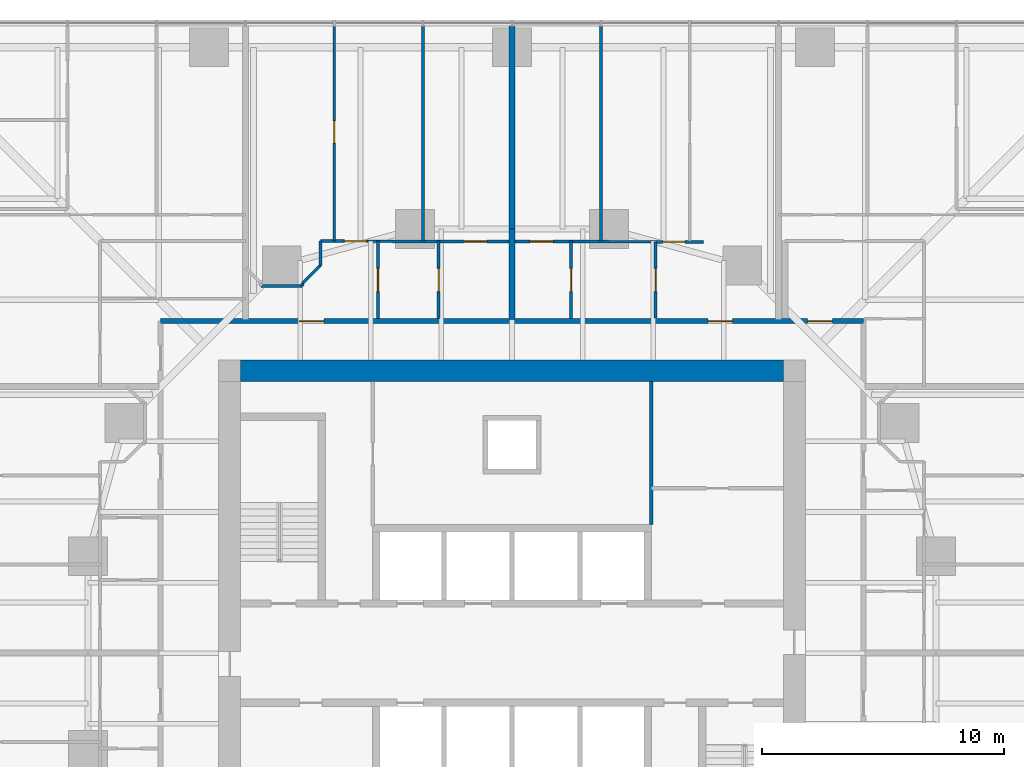
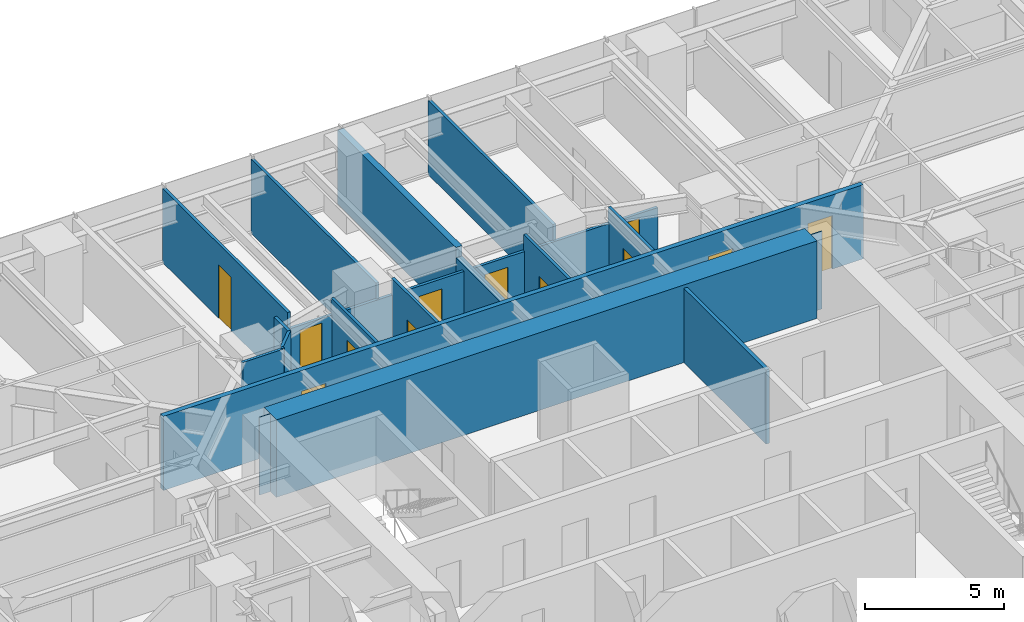
# One storey, part 13 of 17: 17 walls, 12 doors, 12 openings.
"""IFC4 building model written with IfcOpenShell, lengths in metres."""

from ifc_helpers import new_model, si_unit, direction, frame, frame_2d, origin, place, context, subcontext, project, spatial, polyline, rectangle, outline, extrude, material, layer, layer_set, type_object, element, fill, save


model = new_model("IFC4")

# Units and contexts
model_context = context("Model", 3, precision=1e-05, world=origin(), true_north=direction((0.0, 1.0)))
body_context = subcontext(model_context, "Body", "Model", "MODEL_VIEW")
ifc_project = project(units=[si_unit("LENGTHUNIT", "METRE"), si_unit("AREAUNIT", "SQUARE_METRE"), si_unit("VOLUMEUNIT", "CUBIC_METRE"), si_unit("PLANEANGLEUNIT", "RADIAN"), si_unit("MASSUNIT", "GRAM", prefix="KILO")], contexts=[model_context])

# Site, building, storey
site_placement = place(None, origin())
site = spatial("IfcSite", under=ifc_project, at=site_placement, CompositionType="ELEMENT")
building_placement = place(site_placement, origin())
building = spatial("IfcBuilding", under=site, at=building_placement, Name="Torsade Residences", CompositionType="ELEMENT")
storey_placement = place(building_placement, frame((0.0, 0.0, 21.800048828125)))
storey = spatial("IfcBuildingStorey", under=building, at=storey_placement, Name="L05", CompositionType="ELEMENT", Elevation=21.800048828125)

# Wall
ifc_material_1 = material(Name="Concrete 80 MPa", Category="concrete")
ifc_layer_1 = layer(ifc_material_1, 0.89990234375)
ifc_layer_set_1 = layer_set([ifc_layer_1], Name="Concrete 80 MPa")
wall_type_1 = type_object("IfcWallType", Name="CORE WALL 900", PredefinedType="SHEAR", material=ifc_layer_set_1)
wall_1_placement = place(storey_placement, frame((28.800048828125, 41.64990234375, 0.0), z_axis=(0.0, 0.0, 1.0), x_axis=(1.0, 0.0, 0.0)))
element("IfcWall", 1, at=wall_1_placement, inside=storey, type_object=wall_type_1, Name="Core wall N L05", PredefinedType="SHEAR", context=body_context, shape_type="SweptSolid", body=[
    extrude(outline(polyline([(0.0, -0.449951171875), (22.39990234375, -0.449951171875), (22.39990234375, -0.02490234375), (22.849853515625, -0.02490234375), (22.849853515625, 0.02490234375), (22.39990234375, 0.02490234375), (22.39990234375, 0.449951171875), (0.0, 0.449951171875), (0.0, 0.02490234375), (-0.449951171875, 0.02490234375), (-0.449951171875, -0.02490234375), (0.0, -0.02490234375), (0.0, -0.449951171875)])), origin(), (0.0, 0.0, 1.0), 3.39990234375),
])

# Wall, openings, doors
ifc_material_2 = material(Name="Plasterboard on steel stud", Category="steel")
ifc_layer_2 = layer(ifc_material_2, 0.199951171875)
ifc_layer_set_2 = layer_set([ifc_layer_2], Name="Plasterboard on steel stud")
wall_type_2 = type_object("IfcWallType", Name="CORRIDOR WALL 200", PredefinedType="PARTITIONING", material=ifc_layer_set_2)
wall_2_placement = place(storey_placement, frame((54.5, 43.699951171875, 0.0), z_axis=(0.0, 0.0, 1.0), x_axis=(-1.0, 0.0, 0.0)))
wall_2 = element("IfcWall", 2, at=wall_2_placement, inside=storey, type_object=wall_type_2, Name="Corridor wall L05", PredefinedType="PARTITIONING", context=body_context, shape_type="SweptSolid", body=[
    extrude(rectangle(XDim=29.0, YDim=0.199951171875, at=frame_2d((14.5, 0.0))), origin(), (0.0, 0.0, 1.0), 3.25),
])
opening_1_placement = place(wall_2_placement, frame((22.25341796875, 0.0, 0.0)))
opening_1 = element("IfcOpeningElement", 3, at=opening_1_placement, cuts=wall_2, Name="Opening D01", PredefinedType="OPENING", context=body_context, shape_type="SweptSolid", body=[
    extrude(rectangle(XDim=1.02001953125, YDim=2.340087890625, at=frame_2d((0.510009765625, 1.169921875))), frame((0.0, 0.10986328125, 0.0), z_axis=(0.0, -1.0, 0.0), x_axis=(1.0, 0.0, 0.0)), (0.0, 0.0, 1.0), 0.219970703125),
])
opening_2_placement = place(wall_2_placement, frame((5.39306640625, 0.0, 0.0)))
opening_2 = element("IfcOpeningElement", 4, at=opening_2_placement, cuts=wall_2, Name="Opening D01", PredefinedType="OPENING", context=body_context, shape_type="SweptSolid", body=[
    extrude(rectangle(XDim=1.02001953125, YDim=2.340087890625, at=frame_2d((0.510009765625, 1.169921875))), frame((0.0, 0.10986328125, 0.0), z_axis=(0.0, -1.0, 0.0), x_axis=(1.0, 0.0, 0.0)), (0.0, 0.0, 1.0), 0.219970703125),
])
opening_3_placement = place(wall_2_placement, frame((1.28125, 0.0, 0.0)))
opening_3 = element("IfcOpeningElement", 5, at=opening_3_placement, cuts=wall_2, Name="Opening D01", PredefinedType="OPENING", context=body_context, shape_type="SweptSolid", body=[
    extrude(rectangle(XDim=1.02001953125, YDim=2.340087890625, at=frame_2d((0.510009765625, 1.169921875))), frame((0.0, 0.10986328125, 0.0), z_axis=(0.0, -1.0, 0.0), x_axis=(1.0, 0.0, 0.0)), (0.0, 0.0, 1.0), 0.219970703125),
])
ifc_material_3 = material(Name="Solid-core timber fire door", Category="wood")
door_type_1 = type_object("IfcDoorType", Name="APARTMENT ENTRY DOOR 1020x2340", OperationType="NOTDEFINED", PredefinedType="DOOR", material=ifc_material_3)
door_1_placement = place(opening_1_placement, origin())
door_1 = element("IfcDoor", 6, at=door_1_placement, inside=storey, type_object=door_type_1, Name="Door Residential corridor to Kitchen and dining", OperationType="SINGLE_SWING_LEFT", OverallHeight=2.340087890625, OverallWidth=1.02001953125, PredefinedType="DOOR", context=body_context, shape_type="SweptSolid", body=[
    extrude(rectangle(XDim=1.02001953125, YDim=2.340087890625, at=frame_2d((0.510009765625, 1.169921875))), frame((0.0, 0.02490234375, 0.0), z_axis=(0.0, -1.0, 0.0), x_axis=(1.0, 0.0, 0.0)), (0.0, 0.0, 1.0), 0.050048828125),
])
fill(opening_1, door_1)
door_2_placement = place(opening_2_placement, origin())
door_2 = element("IfcDoor", 7, at=door_2_placement, inside=storey, type_object=door_type_1, Name="Door Residential corridor to Kitchen and dining", OperationType="SINGLE_SWING_LEFT", OverallHeight=2.340087890625, OverallWidth=1.02001953125, PredefinedType="DOOR", context=body_context, shape_type="SweptSolid", body=[
    extrude(rectangle(XDim=1.02001953125, YDim=2.340087890625, at=frame_2d((0.510009765625, 1.169921875))), frame((0.0, 0.02490234375, 0.0), z_axis=(0.0, -1.0, 0.0), x_axis=(1.0, 0.0, 0.0)), (0.0, 0.0, 1.0), 0.050048828125),
])
fill(opening_2, door_2)
door_3_placement = place(opening_3_placement, origin())
door_3 = element("IfcDoor", 8, at=door_3_placement, inside=storey, type_object=door_type_1, Name="Door Residential corridor to Kitchen and dining", OperationType="SINGLE_SWING_LEFT", OverallHeight=2.340087890625, OverallWidth=1.02001953125, PredefinedType="DOOR", context=body_context, shape_type="SweptSolid", body=[
    extrude(rectangle(XDim=1.02001953125, YDim=2.340087890625, at=frame_2d((0.510009765625, 1.169921875))), frame((0.0, 0.02490234375, 0.0), z_axis=(0.0, -1.0, 0.0), x_axis=(1.0, 0.0, 0.0)), (0.0, 0.0, 1.0), 0.050048828125),
])
fill(opening_3, door_3)

# Wall, opening, door
ifc_material_4 = material(Name="Plasterboard on steel stud", Category="steel")
ifc_layer_3 = layer(ifc_material_4, 0.1201171875)
ifc_layer_set_3 = layer_set([ifc_layer_3], Name="Plasterboard on steel stud")
wall_type_3 = type_object("IfcWallType", Name="PARTITION 120", PredefinedType="PARTITIONING", material=ifc_layer_set_3)
wall_3_placement = place(storey_placement, frame((45.92626953125, 43.830078125, 0.0), z_axis=(0.0, 0.0, 1.0), x_axis=(0.0, 1.0, 0.0)))
wall_3 = element("IfcWall", 9, at=wall_3_placement, inside=storey, type_object=wall_type_3, Name="Partition L05", PredefinedType="PARTITIONING", context=body_context, shape_type="SweptSolid", body=[
    extrude(rectangle(XDim=3.139892578125, YDim=0.1201171875, at=frame_2d((1.56982421875, 0.0))), origin(), (0.0, 0.0, 1.0), 3.25),
])
opening_4_placement = place(wall_3_placement, frame((1.090087890625, 0.0, 0.0)))
opening_4 = element("IfcOpeningElement", 10, at=opening_4_placement, cuts=wall_3, Name="Opening D05", PredefinedType="OPENING", context=body_context, shape_type="SweptSolid", body=[
    extrude(rectangle(XDim=0.9599609375, YDim=2.10009765625, at=frame_2d((0.47998046875, 1.050048828125))), frame((0.0, 0.070068359375, 0.0), z_axis=(0.0, -1.0, 0.0), x_axis=(1.0, 0.0, 0.0)), (0.0, 0.0, 1.0), 0.14013671875),
])
ifc_material_5 = material(Name="Hollow-core timber door in a steel cavity frame", Category="steel")
door_type_2 = type_object("IfcDoorType", Name="BATHROOM CAVITY SLIDING DOOR 960", OperationType="SLIDING_TO_LEFT", PredefinedType="DOOR", material=ifc_material_5)
door_4_placement = place(opening_4_placement, origin())
door_4 = element("IfcDoor", 11, at=door_4_placement, inside=storey, type_object=door_type_2, Name="Door Kitchen and dining to Bathroom", OperationType="SLIDING_TO_LEFT", OverallHeight=2.10009765625, OverallWidth=0.9599609375, PredefinedType="DOOR", context=body_context, shape_type="SweptSolid", body=[
    extrude(rectangle(XDim=0.9599609375, YDim=2.10009765625, at=frame_2d((0.47998046875, 1.050048828125))), frame((0.0, 0.02490234375, 0.0), z_axis=(0.0, -1.0, 0.0), x_axis=(1.0, 0.0, 0.0)), (0.0, 0.0, 1.0), 0.050048828125),
])
fill(opening_4, door_4)

# Wall, openings, doors
wall_4_placement = place(storey_placement, frame((32.10009765625, 47.0, 0.0), z_axis=(0.0, 0.0, 1.0), x_axis=(0.999998193842, -0.001900608472, 0.0)))
wall_4 = element("IfcWall", 12, at=wall_4_placement, inside=storey, type_object=wall_type_3, Name="Partition L05", PredefinedType="PARTITIONING", context=body_context, shape_type="SweptSolid", body=[
    extrude(rectangle(XDim=15.7998046875, YDim=0.1201171875, at=frame_2d((7.89990234375, 0.0))), origin(), (0.0, 0.0, 1.0), 2.549072265625),
])
opening_5_placement = place(wall_4_placement, frame((0.985107421875, 0.0, 0.0)))
opening_5 = element("IfcOpeningElement", 13, at=opening_5_placement, cuts=wall_4, Name="Opening D02", PredefinedType="OPENING", context=body_context, shape_type="SweptSolid", body=[
    extrude(rectangle(XDim=0.919921875, YDim=2.340087890625, at=frame_2d((0.4599609375, 1.169921875))), frame((0.0, 0.070068359375, 0.0), z_axis=(0.0, -1.0, 0.0), x_axis=(1.0, 0.0, 0.0)), (0.0, 0.0, 1.0), 0.14013671875),
])
opening_6_placement = place(wall_4_placement, frame((14.10986328125, 0.0, 0.0)))
opening_6 = element("IfcOpeningElement", 14, at=opening_6_placement, cuts=wall_4, Name="Opening D02", PredefinedType="OPENING", context=body_context, shape_type="SweptSolid", body=[
    extrude(rectangle(XDim=0.919921875, YDim=2.340087890625, at=frame_2d((0.4599609375, 1.169921875))), frame((0.0, 0.070068359375, 0.0), z_axis=(0.0, -1.0, 0.0), x_axis=(1.0, 0.0, 0.0)), (0.0, 0.0, 1.0), 0.14013671875),
])
opening_7_placement = place(wall_4_placement, frame((5.906982421875, 0.0, 0.0)))
opening_7 = element("IfcOpeningElement", 15, at=opening_7_placement, cuts=wall_4, Name="Opening D05", PredefinedType="OPENING", context=body_context, shape_type="SweptSolid", body=[
    extrude(rectangle(XDim=0.9599609375, YDim=2.10009765625, at=frame_2d((0.47998046875, 1.050048828125))), frame((0.0, 0.070068359375, 0.0), z_axis=(0.0, -1.0, 0.0), x_axis=(1.0, 0.0, 0.0)), (0.0, 0.0, 1.0), 0.14013671875),
])
opening_8_placement = place(wall_4_placement, frame((8.639892578125, 0.0, 0.0)))
opening_8 = element("IfcOpeningElement", 16, at=opening_8_placement, cuts=wall_4, Name="Opening D05", PredefinedType="OPENING", context=body_context, shape_type="SweptSolid", body=[
    extrude(rectangle(XDim=0.9599609375, YDim=2.10009765625, at=frame_2d((0.47998046875, 1.050048828125))), frame((0.0, 0.070068359375, 0.0), z_axis=(0.0, -1.0, 0.0), x_axis=(1.0, 0.0, 0.0)), (0.0, 0.0, 1.0), 0.14013671875),
])
door_5_placement = place(opening_7_placement, origin())
door_5 = element("IfcDoor", 17, at=door_5_placement, inside=storey, type_object=door_type_2, Name="Door Bathroom to Living room", OperationType="SLIDING_TO_LEFT", OverallHeight=2.10009765625, OverallWidth=0.9599609375, PredefinedType="DOOR", context=body_context, shape_type="SweptSolid", body=[
    extrude(rectangle(XDim=0.9599609375, YDim=2.10009765625, at=frame_2d((0.47998046875, 1.050048828125))), frame((0.0, 0.02490234375, 0.0), z_axis=(0.0, -1.0, 0.0), x_axis=(1.0, 0.0, 0.0)), (0.0, 0.0, 1.0), 0.050048828125),
])
fill(opening_7, door_5)
door_6_placement = place(opening_8_placement, origin())
door_6 = element("IfcDoor", 18, at=door_6_placement, inside=storey, type_object=door_type_2, Name="Door Ensuite to Bedroom 1", OperationType="SLIDING_TO_LEFT", OverallHeight=2.10009765625, OverallWidth=0.9599609375, PredefinedType="DOOR", context=body_context, shape_type="SweptSolid", body=[
    extrude(rectangle(XDim=0.9599609375, YDim=2.10009765625, at=frame_2d((0.47998046875, 1.050048828125))), frame((0.0, 0.02490234375, 0.0), z_axis=(0.0, -1.0, 0.0), x_axis=(1.0, 0.0, 0.0)), (0.0, 0.0, 1.0), 0.050048828125),
])
fill(opening_8, door_6)
ifc_material_6 = material(Name="Hollow-core timber door", Category="wood")
door_type_3 = type_object("IfcDoorType", Name="INTERNAL DOOR 920x2340", OperationType="NOTDEFINED", PredefinedType="DOOR", material=ifc_material_6)
door_7_placement = place(opening_5_placement, origin())
door_7 = element("IfcDoor", 19, at=door_7_placement, inside=storey, type_object=door_type_3, Name="Door Kitchen and dining to Bedroom 2", OperationType="SINGLE_SWING_LEFT", OverallHeight=2.340087890625, OverallWidth=0.919921875, PredefinedType="DOOR", context=body_context, shape_type="SweptSolid", body=[
    extrude(rectangle(XDim=0.919921875, YDim=2.340087890625, at=frame_2d((0.4599609375, 1.169921875))), frame((0.0, 0.02490234375, 0.0), z_axis=(0.0, -1.0, 0.0), x_axis=(1.0, 0.0, 0.0)), (0.0, 0.0, 1.0), 0.050048828125),
])
fill(opening_5, door_7)
door_8_placement = place(opening_6_placement, origin())
door_8 = element("IfcDoor", 20, at=door_8_placement, inside=storey, type_object=door_type_3, Name="Door Kitchen and dining to Bedroom 2", OperationType="SINGLE_SWING_RIGHT", OverallHeight=2.340087890625, OverallWidth=0.919921875, PredefinedType="DOOR", context=body_context, shape_type="SweptSolid", body=[
    extrude(rectangle(XDim=0.919921875, YDim=2.340087890625, at=frame_2d((0.4599609375, 1.169921875))), frame((0.0, 0.02490234375, 0.0), z_axis=(0.0, -1.0, 0.0), x_axis=(1.0, 0.0, 0.0)), (0.0, 0.0, 1.0), 0.050048828125),
])
fill(opening_6, door_8)

# Wall, opening, door
wall_5_placement = place(storey_placement, frame((42.439697265625, 43.800048828125, 0.0), z_axis=(0.0, 0.0, 1.0), x_axis=(0.0, 1.0, 0.0)))
wall_5 = element("IfcWall", 21, at=wall_5_placement, inside=storey, type_object=wall_type_3, Name="Partition L05", PredefinedType="PARTITIONING", context=body_context, shape_type="SweptSolid", body=[
    extrude(rectangle(XDim=3.199951171875, YDim=0.1201171875, at=frame_2d((1.60009765625, 0.0))), origin(), (0.0, 0.0, 1.0), 3.25),
])
opening_9_placement = place(wall_5_placement, frame((1.1201171875, 0.0, 0.0)))
opening_9 = element("IfcOpeningElement", 22, at=opening_9_placement, cuts=wall_5, Name="Opening D05", PredefinedType="OPENING", context=body_context, shape_type="SweptSolid", body=[
    extrude(rectangle(XDim=0.9599609375, YDim=2.10009765625, at=frame_2d((0.47998046875, 1.050048828125))), frame((0.0, 0.070068359375, 0.0), z_axis=(0.0, -1.0, 0.0), x_axis=(1.0, 0.0, 0.0)), (0.0, 0.0, 1.0), 0.14013671875),
])
door_9_placement = place(opening_9_placement, origin())
door_9 = element("IfcDoor", 23, at=door_9_placement, inside=storey, type_object=door_type_2, Name="Door Bathroom to Ensuite", OperationType="SLIDING_TO_LEFT", OverallHeight=2.10009765625, OverallWidth=0.9599609375, PredefinedType="DOOR", context=body_context, shape_type="SweptSolid", body=[
    extrude(rectangle(XDim=0.9599609375, YDim=2.10009765625, at=frame_2d((0.47998046875, 1.050048828125))), frame((0.0, 0.02490234375, 0.0), z_axis=(0.0, -1.0, 0.0), x_axis=(1.0, 0.0, 0.0)), (0.0, 0.0, 1.0), 0.050048828125),
])
fill(opening_9, door_9)

# Wall
wall_6_placement = place(storey_placement, frame((43.666748046875, 55.9599609375, 0.0), z_axis=(0.0, 0.0, 1.0), x_axis=(0.0, -1.0, 0.0)))
element("IfcWall", 24, at=wall_6_placement, inside=storey, type_object=wall_type_3, Name="Partition L05", PredefinedType="PARTITIONING", context=body_context, shape_type="SweptSolid", body=[
    extrude(rectangle(XDim=8.9599609375, YDim=0.1201171875, at=frame_2d((4.47998046875, 0.0))), origin(), (0.0, 0.0, 1.0), 3.25),
])

# Wall, opening, door
wall_7_placement = place(storey_placement, frame((34.473388671875, 47.0, 0.0), z_axis=(0.0, 0.0, 1.0), x_axis=(0.0, -1.0, 0.0)))
wall_7 = element("IfcWall", 25, at=wall_7_placement, inside=storey, type_object=wall_type_3, Name="Partition L05", PredefinedType="PARTITIONING", context=body_context, shape_type="SweptSolid", body=[
    extrude(rectangle(XDim=3.199951171875, YDim=0.1201171875, at=frame_2d((1.60009765625, 0.0))), origin(), (0.0, 0.0, 1.0), 3.25),
])
opening_10_placement = place(wall_7_placement, frame((1.1201171875, 0.0, 0.0)))
opening_10 = element("IfcOpeningElement", 26, at=opening_10_placement, cuts=wall_7, Name="Opening D05", PredefinedType="OPENING", context=body_context, shape_type="SweptSolid", body=[
    extrude(rectangle(XDim=0.9599609375, YDim=2.10009765625, at=frame_2d((0.47998046875, 1.050048828125))), frame((0.0, 0.070068359375, 0.0), z_axis=(0.0, -1.0, 0.0), x_axis=(1.0, 0.0, 0.0)), (0.0, 0.0, 1.0), 0.14013671875),
])
door_10_placement = place(opening_10_placement, origin())
door_10 = element("IfcDoor", 27, at=door_10_placement, inside=storey, type_object=door_type_2, Name="Door Kitchen and dining to Ensuite", OperationType="SLIDING_TO_LEFT", OverallHeight=2.10009765625, OverallWidth=0.9599609375, PredefinedType="DOOR", context=body_context, shape_type="SweptSolid", body=[
    extrude(rectangle(XDim=0.9599609375, YDim=2.10009765625, at=frame_2d((0.47998046875, 1.050048828125))), frame((0.0, 0.02490234375, 0.0), z_axis=(0.0, -1.0, 0.0), x_axis=(1.0, 0.0, 0.0)), (0.0, 0.0, 1.0), 0.050048828125),
])
fill(opening_10, door_10)

# Walls
wall_8_placement = place(storey_placement, frame((29.64990234375, 45.14990234375, 0.0), z_axis=(0.0, 0.0, 1.0), x_axis=(1.0, 0.0, 0.0)))
element("IfcWall", 28, at=wall_8_placement, inside=storey, type_object=wall_type_3, Name="Partition L05", PredefinedType="PARTITIONING", context=body_context, shape_type="SweptSolid", body=[
    extrude(rectangle(XDim=1.7001953125, YDim=0.1201171875, at=frame_2d((0.85009765625, 0.0))), origin(), (0.0, 0.0, 1.0), 3.25),
])
wall_9_placement = place(storey_placement, frame((31.35009765625, 45.25, 0.0), z_axis=(0.0, 0.0, 1.0), x_axis=(0.707106781187, 0.707106781187, 0.0)))
element("IfcWall", 29, at=wall_9_placement, inside=storey, type_object=wall_type_3, Name="Partition L05", PredefinedType="PARTITIONING", context=body_context, shape_type="SweptSolid", body=[
    extrude(rectangle(XDim=1.060546875, YDim=0.1201171875, at=frame_2d((0.5302734375, 0.0))), origin(), (0.0, 0.0, 1.0), 3.25),
])
wall_10_placement = place(storey_placement, frame((32.10009765625, 46.0, 0.0), z_axis=(0.0, 0.0, 1.0), x_axis=(0.0, 1.0, 0.0)))
element("IfcWall", 30, at=wall_10_placement, inside=storey, type_object=wall_type_3, Name="Partition L05", PredefinedType="PARTITIONING", context=body_context, shape_type="SweptSolid", body=[
    extrude(rectangle(XDim=1.0, YDim=0.1201171875, at=frame_2d((0.5, 0.0))), origin(), (0.0, 0.0, 1.0), 3.25),
])

# Wall, opening, door
wall_11_placement = place(storey_placement, frame((36.97412109375, 43.800048828125, 0.0), z_axis=(0.0, 0.0, 1.0), x_axis=(0.0, 1.0, 0.0)))
wall_11 = element("IfcWall", 31, at=wall_11_placement, inside=storey, type_object=wall_type_3, Name="Partition L05", PredefinedType="PARTITIONING", context=body_context, shape_type="SweptSolid", body=[
    extrude(rectangle(XDim=3.199951171875, YDim=0.1201171875, at=frame_2d((1.60009765625, 0.0))), origin(), (0.0, 0.0, 1.0), 3.25),
])
opening_11_placement = place(wall_11_placement, frame((1.1201171875, 0.0, 0.0)))
opening_11 = element("IfcOpeningElement", 32, at=opening_11_placement, cuts=wall_11, Name="Opening D05", PredefinedType="OPENING", context=body_context, shape_type="SweptSolid", body=[
    extrude(rectangle(XDim=0.9599609375, YDim=2.10009765625, at=frame_2d((0.47998046875, 1.050048828125))), frame((0.0, 0.070068359375, 0.0), z_axis=(0.0, -1.0, 0.0), x_axis=(1.0, 0.0, 0.0)), (0.0, 0.0, 1.0), 0.14013671875),
])
door_11_placement = place(opening_11_placement, origin())
door_11 = element("IfcDoor", 33, at=door_11_placement, inside=storey, type_object=door_type_2, Name="Door Ensuite to Bathroom", OperationType="SLIDING_TO_LEFT", OverallHeight=2.10009765625, OverallWidth=0.9599609375, PredefinedType="DOOR", context=body_context, shape_type="SweptSolid", body=[
    extrude(rectangle(XDim=0.9599609375, YDim=2.10009765625, at=frame_2d((0.47998046875, 1.050048828125))), frame((0.0, 0.02490234375, 0.0), z_axis=(0.0, -1.0, 0.0), x_axis=(1.0, 0.0, 0.0)), (0.0, 0.0, 1.0), 0.050048828125),
])
fill(opening_11, door_11)

# Wall
wall_12_placement = place(storey_placement, frame((36.333251953125, 47.0, 0.0), z_axis=(0.0, 0.0, 1.0), x_axis=(0.0, 1.0, 0.0)))
element("IfcWall", 34, at=wall_12_placement, inside=storey, type_object=wall_type_3, Name="Partition L05", PredefinedType="PARTITIONING", context=body_context, shape_type="SweptSolid", body=[
    extrude(rectangle(XDim=8.9599609375, YDim=0.1201171875, at=frame_2d((4.47998046875, 0.0))), origin(), (0.0, 0.0, 1.0), 3.25),
])

# Wall, opening, door
wall_13_placement = place(storey_placement, frame((32.666748046875, 55.9599609375, 0.0), z_axis=(0.0, 0.0, 1.0), x_axis=(0.0, -1.0, 0.0)))
wall_13 = element("IfcWall", 35, at=wall_13_placement, inside=storey, type_object=wall_type_3, Name="Partition L05", PredefinedType="PARTITIONING", context=body_context, shape_type="SweptSolid", body=[
    extrude(rectangle(XDim=8.9599609375, YDim=0.1201171875, at=frame_2d((4.47998046875, 0.0))), origin(), (0.0, 0.0, 1.0), 3.25),
])
opening_12_placement = place(wall_13_placement, frame((4.0, 0.0, 0.0)))
opening_12 = element("IfcOpeningElement", 36, at=opening_12_placement, cuts=wall_13, Name="Opening D02", PredefinedType="OPENING", context=body_context, shape_type="SweptSolid", body=[
    extrude(rectangle(XDim=0.919921875, YDim=2.340087890625, at=frame_2d((0.4599609375, 1.169921875))), frame((0.0, 0.070068359375, 0.0), z_axis=(0.0, -1.0, 0.0), x_axis=(1.0, 0.0, 0.0)), (0.0, 0.0, 1.0), 0.14013671875),
])
door_12_placement = place(opening_12_placement, origin())
door_12 = element("IfcDoor", 37, at=door_12_placement, inside=storey, type_object=door_type_3, Name="Door Bedroom 2 to Bedroom 1", OperationType="SINGLE_SWING_RIGHT", OverallHeight=2.340087890625, OverallWidth=0.919921875, PredefinedType="DOOR", context=body_context, shape_type="SweptSolid", body=[
    extrude(rectangle(XDim=0.919921875, YDim=2.340087890625, at=frame_2d((0.4599609375, 1.169921875))), frame((0.0, 0.02490234375, 0.0), z_axis=(0.0, -1.0, 0.0), x_axis=(1.0, 0.0, 0.0)), (0.0, 0.0, 1.0), 0.050048828125),
])
fill(opening_12, door_12)

# Walls
wall_14_placement = place(storey_placement, frame((31.35009765625, 45.14990234375, 0.0), z_axis=(0.0, 0.0, 1.0), x_axis=(0.0, 1.0, 0.0)))
element("IfcWall", 38, at=wall_14_placement, inside=storey, type_object=wall_type_3, Name="Partition L05", PredefinedType="PARTITIONING", context=body_context, shape_type="SweptSolid", body=[
    extrude(rectangle(XDim=0.10009765625, YDim=0.1201171875, at=frame_2d((0.050048828125, 0.0))), origin(), (0.0, 0.0, 1.0), 3.25),
])
ifc_material_7 = material(Name="Masonry-lined stud party wall", Category="masonry")
ifc_layer_4 = layer(ifc_material_7, 0.25)
ifc_layer_set_4 = layer_set([ifc_layer_4], Name="Masonry-lined stud party wall")
wall_type_4 = type_object("IfcWallType", Name="PARTY WALL 250", PredefinedType="PARTITIONING", material=ifc_layer_set_4)
wall_15_placement = place(storey_placement, frame((40.0, 56.0, 0.0), z_axis=(0.0, 0.0, 1.0), x_axis=(0.0, -1.0, 0.0)))
element("IfcWall", 39, at=wall_15_placement, inside=storey, type_object=wall_type_4, Name="Party wall L05", PredefinedType="PARTITIONING", context=body_context, shape_type="SweptSolid", body=[
    extrude(rectangle(XDim=8.5, YDim=0.25, at=frame_2d((4.25, 0.0))), origin(), (0.0, 0.0, 1.0), 3.25),
])
wall_16_placement = place(storey_placement, frame((40.0, 47.5, 0.0), z_axis=(0.0, 0.0, 1.0), x_axis=(0.0, -1.0, 0.0)))
element("IfcWall", 40, at=wall_16_placement, inside=storey, type_object=wall_type_4, Name="Party wall L05", PredefinedType="PARTITIONING", context=body_context, shape_type="SweptSolid", body=[
    extrude(rectangle(XDim=3.739990234375, YDim=0.25, at=frame_2d((1.8701171875, 0.0))), origin(), (0.0, 0.0, 1.0), 2.7958984375),
])
ifc_material_8 = material(Name="Reinforced blockwork", Category="masonry")
ifc_layer_5 = layer(ifc_material_8, 0.14990234375)
ifc_layer_set_5 = layer_set([ifc_layer_5], Name="Reinforced blockwork")
wall_type_5 = type_object("IfcWallType", Name="SERVICE ROOM WALL 150", PredefinedType="SOLIDWALL", material=ifc_layer_set_5)
wall_17_placement = place(storey_placement, frame((45.75, 41.199951171875, 0.0), z_axis=(0.0, 0.0, 1.0), x_axis=(0.0, -1.0, 0.0)))
element("IfcWall", 41, at=wall_17_placement, inside=storey, type_object=wall_type_5, Name="Service room wall L05", PredefinedType="SOLIDWALL", context=body_context, shape_type="SweptSolid", body=[
    extrude(rectangle(XDim=5.89990234375, YDim=0.14990234375, at=frame_2d((2.949951171875, 0.0))), origin(), (0.0, 0.0, 1.0), 3.25),
])

save(model, "model.ifc")
